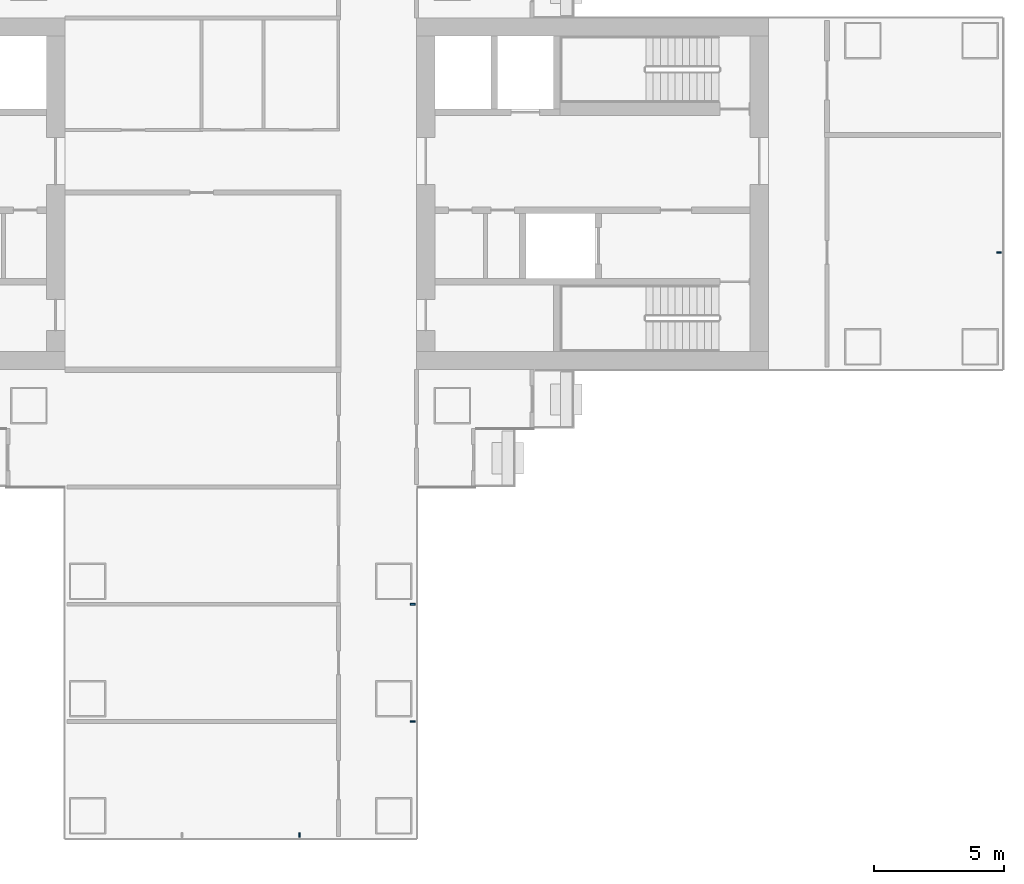
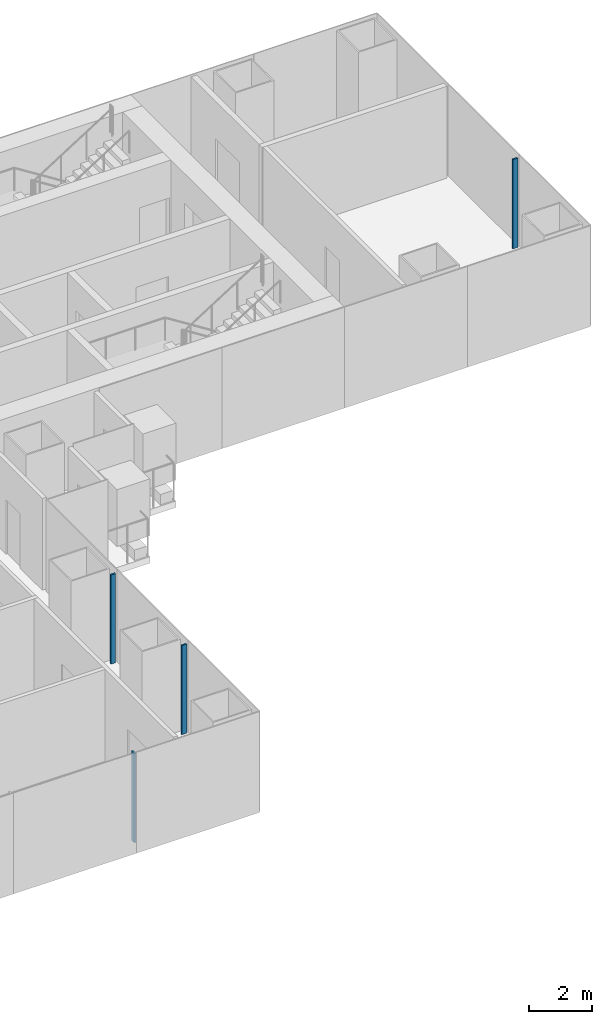
# One storey, part 8 of 21: 4 members, 3 elements without a shape of their own.
"""IFC4 building model written with IfcOpenShell, lengths in metres."""

from ifc_helpers import new_model, si_unit, direction, frame, origin, origin_2d, place, context, subcontext, project, spatial, rectangle, extrude, material, layer, layer_set, material_profile, profile_set, type_object, element, aggregate, save


model = new_model("IFC4")

# Units and contexts
model_context = context("Model", 3, precision=1e-05, world=origin(), true_north=direction((0.0, 1.0)))
body_context = subcontext(model_context, "Body", "Model", "MODEL_VIEW")
ifc_project = project(units=[si_unit("LENGTHUNIT", "METRE"), si_unit("AREAUNIT", "SQUARE_METRE"), si_unit("VOLUMEUNIT", "CUBIC_METRE"), si_unit("PLANEANGLEUNIT", "RADIAN"), si_unit("MASSUNIT", "GRAM", prefix="KILO")], contexts=[model_context])

# Site, building, storey
site_placement = place(None, origin())
site = spatial("IfcSite", under=ifc_project, at=site_placement, CompositionType="ELEMENT")
building_placement = place(site_placement, origin())
building = spatial("IfcBuilding", under=site, at=building_placement, Name="Shamsa Quay Exchange Towers", CompositionType="ELEMENT")
storey_placement = place(building_placement, frame((0.0, 0.0, 53.699951171875)))
storey = spatial("IfcBuildingStorey", under=building, at=storey_placement, Name="L11", CompositionType="ELEMENT", Elevation=53.699951171875)

# Curtain wall, member
ifc_material = material(Name="Aluminium EN AW-6063 T6, black anodised", Category="aluminium")
ifc_layer = layer(ifc_material, 0.280029296875)
ifc_layer_set = layer_set([ifc_layer], Name="CW-1 UNITISED VISION GLASS")
curtain_wall_type = type_object("IfcCurtainWallType", Name="CW-1 UNITISED VISION GLASS", PredefinedType="NOTDEFINED", material=ifc_layer_set)
curtain_wall_1_placement = place(storey_placement, origin())
curtain_wall_1 = element("IfcCurtainWall", 1, at=curtain_wall_1_placement, inside=storey, type_object=curtain_wall_type, Name="CW1 T2-END-V- L11", PredefinedType="NOTDEFINED")
ifc_material_profile = material_profile(ifc_material, rectangle(XDim=0.179931640625, YDim=0.06005859375, at=origin_2d()), Name="MU60x180")
ifc_profile_set = profile_set([ifc_material_profile], Name="Aluminium EN AW-6063 T6, black anodised")
member_type = type_object("IfcMemberType", Name="CW1 MULLION 60x180", PredefinedType="MULLION", material=ifc_profile_set)
member_1_placement = place(storey_placement, frame((62.85009765625, -2.25, 0.0), z_axis=(0.0, 0.0, 1.0), x_axis=(-1.0, 0.0, 0.0)))
member_1 = element("IfcMember", 2, at=member_1_placement, type_object=member_type, Name="CW1 mullion", PredefinedType="MULLION", context=body_context, shape_type="SweptSolid", body=[
    extrude(rectangle(XDim=0.179931640625, YDim=0.06005859375, at=origin_2d()), origin(), (0.0, 0.0, 1.0), 3.449951171875),
])
aggregate(curtain_wall_1, [member_1])

curtain_wall_2_placement = place(storey_placement, origin())
curtain_wall_2 = element("IfcCurtainWall", 3, at=curtain_wall_2_placement, inside=storey, type_object=curtain_wall_type, Name="CW1 T2-END-U- L11", PredefinedType="NOTDEFINED")
member_2_placement = place(storey_placement, frame((36.0, -24.60009765625, 0.0), z_axis=(0.0, 0.0, 1.0), x_axis=(0.0, 1.0, 0.0)))
member_2 = element("IfcMember", 4, at=member_2_placement, type_object=member_type, Name="CW1 mullion", PredefinedType="MULLION", context=body_context, shape_type="SweptSolid", body=[
    extrude(rectangle(XDim=0.179931640625, YDim=0.06005859375, at=origin_2d()), origin(), (0.0, 0.0, 1.0), 3.449951171875),
])
aggregate(curtain_wall_2, [member_2])

# Curtain wall, members
curtain_wall_3_placement = place(storey_placement, origin())
curtain_wall_3 = element("IfcCurtainWall", 5, at=curtain_wall_3_placement, inside=storey, type_object=curtain_wall_type, Name="CW1 T2-FLK-U-S L11", PredefinedType="NOTDEFINED")
member_3_placement = place(storey_placement, frame((40.35009765625, -20.25, 0.0), z_axis=(0.0, 0.0, 1.0), x_axis=(-1.0, 0.0, 0.0)))
member_3 = element("IfcMember", 6, at=member_3_placement, type_object=member_type, Name="CW1 mullion", PredefinedType="MULLION", context=body_context, shape_type="SweptSolid", body=[
    extrude(rectangle(XDim=0.179931640625, YDim=0.06005859375, at=origin_2d()), origin(), (0.0, 0.0, 1.0), 3.449951171875),
])
member_4_placement = place(storey_placement, frame((40.35009765625, -15.75, 0.0), z_axis=(0.0, 0.0, 1.0), x_axis=(-1.0, 0.0, 0.0)))
member_4 = element("IfcMember", 7, at=member_4_placement, type_object=member_type, Name="CW1 mullion", PredefinedType="MULLION", context=body_context, shape_type="SweptSolid", body=[
    extrude(rectangle(XDim=0.179931640625, YDim=0.06005859375, at=origin_2d()), origin(), (0.0, 0.0, 1.0), 3.449951171875),
])
aggregate(curtain_wall_3, [member_3, member_4])

save(model, "model.ifc")
